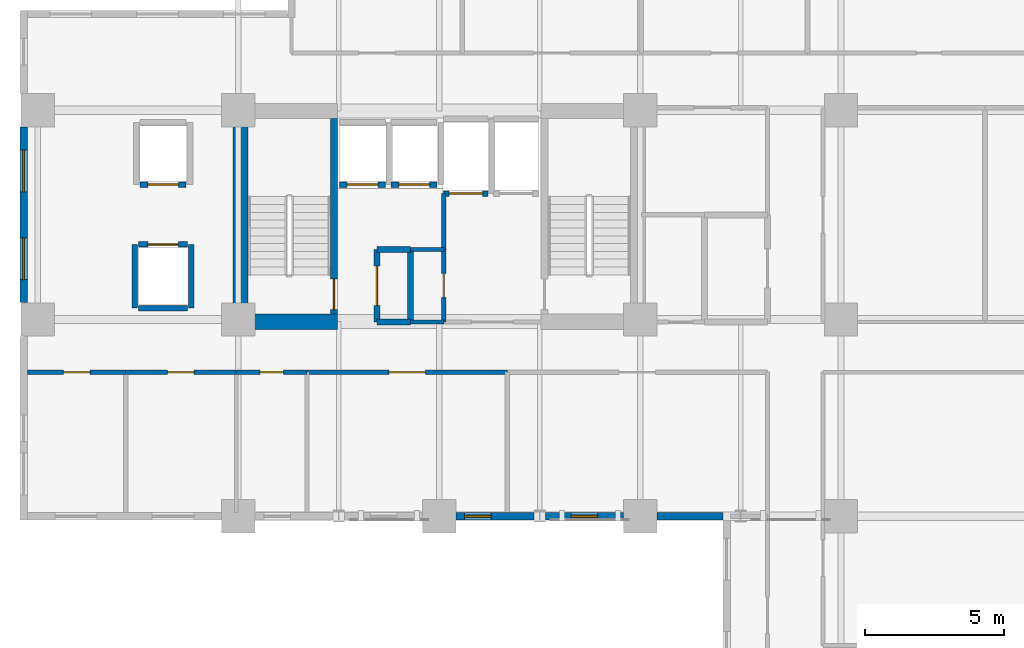
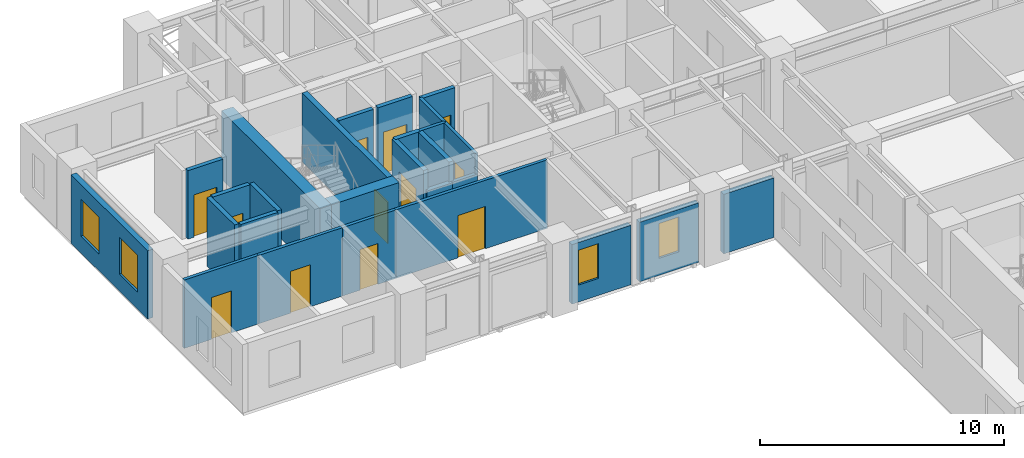
# One storey, part 3 of 11: 27 walls, 12 doors, 4 windows, 16 openings.
"""IFC4 building model written with IfcOpenShell, lengths in metres."""

from ifc_helpers import new_model, si_unit, direction, frame, frame_2d, origin, place, context, subcontext, project, spatial, rectangle, extrude, material, layer, layer_set, type_object, element, fill, save


model = new_model("IFC4")

# Units and contexts
model_context = context("Model", 3, precision=1e-05, world=origin(), true_north=direction((0.0, 1.0)))
body_context = subcontext(model_context, "Body", "Model", "MODEL_VIEW")
ifc_project = project(units=[si_unit("LENGTHUNIT", "METRE"), si_unit("AREAUNIT", "SQUARE_METRE"), si_unit("VOLUMEUNIT", "CUBIC_METRE"), si_unit("PLANEANGLEUNIT", "RADIAN"), si_unit("MASSUNIT", "GRAM", prefix="KILO")], contexts=[model_context])

# Site, building, storey
site_placement = place(None, origin())
site = spatial("IfcSite", under=ifc_project, at=site_placement, CompositionType="ELEMENT")
building_placement = place(site_placement, origin())
building = spatial("IfcBuilding", under=site, at=building_placement, Name="Kaliganga Portal Commons", CompositionType="ELEMENT")
storey_placement = place(building_placement, frame((0.0, 0.0, 111.89990234375)))
storey = spatial("IfcBuildingStorey", under=building, at=storey_placement, Name="L28", CompositionType="ELEMENT", Elevation=111.89990234375)

# Walls
ifc_material_1 = material(Name="Concrete C60/75", Category="concrete")
ifc_layer_1 = layer(ifc_material_1, 0.550048828125)
ifc_layer_set_1 = layer_set([ifc_layer_1], Name="Concrete C60/75")
wall_type_1 = type_object("IfcWallType", Name="WL-CORE-550", PredefinedType="SHEAR", material=ifc_layer_set_1)
wall_1_placement = place(storey_placement, frame((14.47509765625, 28.300048828125, 0.0), z_axis=(0.0, 0.0, 1.0), x_axis=(0.0, 1.0, 0.0)))
element("IfcWall", 1, at=wall_1_placement, inside=storey, type_object=wall_type_1, Name="Core A West Shear Wall L28", PredefinedType="SHEAR", context=body_context, shape_type="SweptSolid", body=[
    extrude(rectangle(XDim=8.099853515625, YDim=0.550048828125, at=frame_2d((4.0498046875, 0.0))), origin(), (0.0, 0.0, 1.0), 3.4501953125),
])
wall_2_placement = place(storey_placement, frame((14.75, 28.574951171875, 0.0), z_axis=(0.0, 0.0, 1.0), x_axis=(1.0, 0.0, 0.0)))
element("IfcWall", 2, at=wall_2_placement, inside=storey, type_object=wall_type_1, Name="Core A S-West Shear Wall L28", PredefinedType="SHEAR", context=body_context, shape_type="SweptSolid", body=[
    extrude(rectangle(XDim=3.199951171875, YDim=0.550048828125, at=frame_2d((1.60009765625, 0.0))), origin(), (0.0, 0.0, 1.0), 3.4501953125),
])

# Wall, openings, windows
ifc_material_2 = material(Name="Insulated Aluminium-Clad Spandrel Assembly", Category="aluminium")
ifc_layer_2 = layer(ifc_material_2, 0.260009765625)
ifc_layer_set_2 = layer_set([ifc_layer_2], Name="Insulated Aluminium-Clad Spandrel Assembly")
wall_type_2 = type_object("IfcWallType", Name="WL-EXT-SPAND-260", PredefinedType="STANDARD", material=ifc_layer_set_2)
wall_3_placement = place(storey_placement, frame((6.699951171875, 29.2509765625, 0.0), z_axis=(0.0, 0.0, 1.0), x_axis=(0.0, 1.0, 0.0)))
wall_3 = element("IfcWall", 3, at=wall_3_placement, inside=storey, type_object=wall_type_2, Name="Exterior Envelope Wall L28 P1-E09-S2", PredefinedType="STANDARD", context=body_context, shape_type="SweptSolid", body=[
    extrude(rectangle(XDim=6.298095703125, YDim=0.260009765625, at=frame_2d((3.14892578125, 0.0))), origin(), (0.0, 0.0, 1.0), 3.43017578125),
])
opening_1_placement = place(wall_3_placement, frame((0.824462890625, 0.0, 0.85009765625)))
opening_1 = element("IfcOpeningElement", 4, at=opening_1_placement, cuts=wall_3, Name="Opening W-02", PredefinedType="OPENING", context=body_context, shape_type="SweptSolid", body=[
    extrude(rectangle(XDim=1.5, YDim=1.85009765625, at=frame_2d((0.75, 0.925048828125))), frame((0.0, 0.14013671875, 0.0), z_axis=(0.0, -1.0, 0.0), x_axis=(1.0, 0.0, 0.0)), (0.0, 0.0, 1.0), 0.280029296875),
])
opening_2_placement = place(wall_3_placement, frame((3.973388671875, 0.0, 0.85009765625)))
opening_2 = element("IfcOpeningElement", 5, at=opening_2_placement, cuts=wall_3, Name="Opening W-02", PredefinedType="OPENING", context=body_context, shape_type="SweptSolid", body=[
    extrude(rectangle(XDim=1.5, YDim=1.85009765625, at=frame_2d((0.75, 0.925048828125))), frame((0.0, 0.14013671875, 0.0), z_axis=(0.0, -1.0, 0.0), x_axis=(1.0, 0.0, 0.0)), (0.0, 0.0, 1.0), 0.280029296875),
])
ifc_material_3 = material(Name="Thermally Broken Aluminium and Low-E Double Glazing", Category="aluminium")
window_type_1 = type_object("IfcWindowType", Name="WIN-STD-1500", PartitioningType="DOUBLE_PANEL_VERTICAL", PredefinedType="WINDOW", material=ifc_material_3)
window_1_placement = place(opening_1_placement, origin())
window_1 = element("IfcWindow", 6, at=window_1_placement, inside=storey, type_object=window_type_1, Name="Facade Window L28-P1E09S2-00", OverallHeight=1.85009765625, OverallWidth=1.5, PartitioningType="SINGLE_PANEL", PredefinedType="WINDOW", context=body_context, shape_type="SweptSolid", body=[
    extrude(rectangle(XDim=1.5, YDim=1.85009765625, at=frame_2d((0.75, 0.925048828125))), frame((0.0, 0.030029296875, 0.0), z_axis=(0.0, -1.0, 0.0), x_axis=(1.0, 0.0, 0.0)), (0.0, 0.0, 1.0), 0.06005859375),
])
fill(opening_1, window_1)
window_2_placement = place(opening_2_placement, origin())
window_2 = element("IfcWindow", 7, at=window_2_placement, inside=storey, type_object=window_type_1, Name="Facade Window L28-P1E09S2-01", OverallHeight=1.85009765625, OverallWidth=1.5, PartitioningType="SINGLE_PANEL", PredefinedType="WINDOW", context=body_context, shape_type="SweptSolid", body=[
    extrude(rectangle(XDim=1.5, YDim=1.85009765625, at=frame_2d((0.75, 0.925048828125))), frame((0.0, 0.030029296875, 0.0), z_axis=(0.0, -1.0, 0.0), x_axis=(1.0, 0.0, 0.0)), (0.0, 0.0, 1.0), 0.06005859375),
])
fill(opening_2, window_2)

# Wall, opening, window
wall_4_placement = place(storey_placement, frame((24.994384765625, 21.60009765625, 0.0), z_axis=(0.0, 0.0, 1.0), x_axis=(-1.0, 0.0, 0.0)))
wall_4 = element("IfcWall", 8, at=wall_4_placement, inside=storey, type_object=wall_type_2, Name="Exterior Envelope Wall L28 P1-E10-S4", PredefinedType="STANDARD", context=body_context, shape_type="SweptSolid", body=[
    extrude(rectangle(XDim=2.79345703125, YDim=0.260009765625, at=frame_2d((1.396728515625, 0.0))), origin(), (0.0, 0.0, 1.0), 2.97998046875),
])
opening_3_placement = place(wall_4_placement, frame((1.536376953125, 0.0, 0.85009765625)))
opening_3 = element("IfcOpeningElement", 9, at=opening_3_placement, cuts=wall_4, Name="Opening W-04", PredefinedType="OPENING", context=body_context, shape_type="SweptSolid", body=[
    extrude(rectangle(XDim=0.949951171875, YDim=1.75, at=frame_2d((0.47509765625, 0.875))), frame((0.0, 0.14013671875, 0.0), z_axis=(0.0, -1.0, 0.0), x_axis=(1.0, 0.0, 0.0)), (0.0, 0.0, 1.0), 0.280029296875),
])
window_type_2 = type_object("IfcWindowType", Name="WIN-NARROW-950", PartitioningType="SINGLE_PANEL", PredefinedType="WINDOW", material=ifc_material_3)
window_3_placement = place(opening_3_placement, origin())
window_3 = element("IfcWindow", 10, at=window_3_placement, inside=storey, type_object=window_type_2, Name="Facade Window L28-P1E10S4-N4", OverallHeight=1.75, OverallWidth=0.949951171875, PartitioningType="SINGLE_PANEL", PredefinedType="WINDOW", context=body_context, shape_type="SweptSolid", body=[
    extrude(rectangle(XDim=0.949951171875, YDim=1.75, at=frame_2d((0.47509765625, 0.875))), frame((0.0, 0.030029296875, 0.0), z_axis=(0.0, -1.0, 0.0), x_axis=(1.0, 0.0, 0.0)), (0.0, 0.0, 1.0), 0.06005859375),
])
fill(opening_3, window_3)

wall_5_placement = place(storey_placement, frame((28.198974609375, 21.60009765625, 0.0), z_axis=(0.0, 0.0, 1.0), x_axis=(-1.0, 0.0, 0.0)))
wall_5 = element("IfcWall", 11, at=wall_5_placement, inside=storey, type_object=wall_type_2, Name="Exterior Envelope Wall L28 P1-E10-S5", PredefinedType="STANDARD", context=body_context, shape_type="SweptSolid", body=[
    extrude(rectangle(XDim=2.79345703125, YDim=0.260009765625, at=frame_2d((1.396728515625, 0.0))), origin(), (0.0, 0.0, 1.0), 2.97998046875),
])
opening_4_placement = place(wall_5_placement, frame((0.921875, 0.0, 0.85009765625)))
opening_4 = element("IfcOpeningElement", 12, at=opening_4_placement, cuts=wall_5, Name="Opening W-04", PredefinedType="OPENING", context=body_context, shape_type="SweptSolid", body=[
    extrude(rectangle(XDim=0.949951171875, YDim=1.75, at=frame_2d((0.47509765625, 0.875))), frame((0.0, 0.14013671875, 0.0), z_axis=(0.0, -1.0, 0.0), x_axis=(1.0, 0.0, 0.0)), (0.0, 0.0, 1.0), 0.280029296875),
])
window_4_placement = place(opening_4_placement, origin())
window_4 = element("IfcWindow", 13, at=window_4_placement, inside=storey, type_object=window_type_2, Name="Facade Window L28-P1E10S5-00", OverallHeight=1.75, OverallWidth=0.949951171875, PartitioningType="SINGLE_PANEL", PredefinedType="WINDOW", context=body_context, shape_type="SweptSolid", body=[
    extrude(rectangle(XDim=0.949951171875, YDim=1.75, at=frame_2d((0.47509765625, 0.875))), frame((0.0, 0.030029296875, 0.0), z_axis=(0.0, -1.0, 0.0), x_axis=(1.0, 0.0, 0.0)), (0.0, 0.0, 1.0), 0.06005859375),
])
fill(opening_4, window_4)

# Wall
wall_6_placement = place(storey_placement, frame((31.764892578125, 21.60009765625, 0.0), z_axis=(0.0, 0.0, 1.0), x_axis=(-1.0, 0.0, 0.0)))
element("IfcWall", 14, at=wall_6_placement, inside=storey, type_object=wall_type_2, Name="Exterior Envelope Wall L28 P1-E10-S6", PredefinedType="STANDARD", context=body_context, shape_type="SweptSolid", body=[
    extrude(rectangle(XDim=2.364013671875, YDim=0.260009765625, at=frame_2d((1.18212890625, 0.0))), origin(), (0.0, 0.0, 1.0), 2.97998046875),
])

# Wall, opening, door
ifc_material_4 = material(Name="Fire-Rated Gypsum Board on Steel Stud", Category="steel")
ifc_layer_3 = layer(ifc_material_4, 0.14990234375)
ifc_layer_set_3 = layer_set([ifc_layer_3], Name="Fire-Rated Gypsum Board on Steel Stud")
wall_type_3 = type_object("IfcWallType", Name="WL-PART-CORR-150", PredefinedType="PARTITIONING", material=ifc_layer_set_3)
wall_7_placement = place(storey_placement, frame((16.860107421875, 26.760009765625, 0.0), z_axis=(0.0, 0.0, 1.0), x_axis=(1.0, 0.0, 0.0)))
wall_7 = element("IfcWall", 15, at=wall_7_placement, inside=storey, type_object=wall_type_3, Name="Interior Partition L28-012", PredefinedType="PARTITIONING", context=body_context, shape_type="SweptSolid", body=[
    extrude(rectangle(XDim=7.179931640625, YDim=0.14990234375, at=frame_2d((3.58984375, 0.0))), origin(), (0.0, 0.0, 1.0), 3.43017578125),
])
opening_5_placement = place(wall_7_placement, frame((2.93994140625, 0.0, 0.0)))
opening_5 = element("IfcOpeningElement", 16, at=opening_5_placement, cuts=wall_7, Name="Opening RD-03", PredefinedType="OPENING", context=body_context, shape_type="SweptSolid", body=[
    extrude(rectangle(XDim=1.300048828125, YDim=2.1201171875, at=frame_2d((0.64990234375, 1.06005859375))), frame((0.0, 0.0849609375, 0.0), z_axis=(0.0, -1.0, 0.0), x_axis=(1.0, 0.0, 0.0)), (0.0, 0.0, 1.0), 0.169921875),
])
ifc_material_5 = material(Name="Glazed Timber Seminar Vision Door", Category="wood")
door_type_1 = type_object("IfcDoorType", Name="DR-STUDY-1300", OperationType="DOUBLE_DOOR_SINGLE_SWING", PredefinedType="DOOR", material=ifc_material_5)
door_1_placement = place(opening_5_placement, origin())
door_1 = element("IfcDoor", 17, at=door_1_placement, inside=storey, type_object=door_type_1, Name="Interior Door L28-AS04", OperationType="DOUBLE_DOOR_SINGLE_SWING", OverallHeight=2.1201171875, OverallWidth=1.300048828125, PredefinedType="DOOR", context=body_context, shape_type="SweptSolid", body=[
    extrude(rectangle(XDim=1.300048828125, YDim=2.1201171875, at=frame_2d((0.64990234375, 1.06005859375))), frame((0.0, 0.02490234375, 0.0), z_axis=(0.0, -1.0, 0.0), x_axis=(1.0, 0.0, 0.0)), (0.0, 0.0, 1.0), 0.050048828125),
])
fill(opening_5, door_1)

wall_8_placement = place(storey_placement, frame((10.360107421875, 26.760009765625, 0.0), z_axis=(0.0, 0.0, 1.0), x_axis=(1.0, 0.0, 0.0)))
wall_8 = element("IfcWall", 18, at=wall_8_placement, inside=storey, type_object=wall_type_3, Name="Interior Partition L28-026", PredefinedType="PARTITIONING", context=body_context, shape_type="SweptSolid", body=[
    extrude(rectangle(XDim=3.9599609375, YDim=0.14990234375, at=frame_2d((1.97998046875, 0.0))), origin(), (0.0, 0.0, 1.0), 3.43017578125),
])
opening_6_placement = place(wall_8_placement, frame((1.5048828125, 0.0, 0.0)))
opening_6 = element("IfcOpeningElement", 19, at=opening_6_placement, cuts=wall_8, Name="Opening UD-01", PredefinedType="OPENING", context=body_context, shape_type="SweptSolid", body=[
    extrude(rectangle(XDim=0.949951171875, YDim=2.10009765625, at=frame_2d((0.47509765625, 1.050048828125))), frame((0.0, 0.0849609375, 0.0), z_axis=(0.0, -1.0, 0.0), x_axis=(1.0, 0.0, 0.0)), (0.0, 0.0, 1.0), 0.169921875),
])
ifc_material_6 = material(Name="Solid-Core Timber Acoustic Fire Door", Category="wood")
door_type_2 = type_object("IfcDoorType", Name="DR-UNIT-950", OperationType="NOTDEFINED", PredefinedType="DOOR", material=ifc_material_6)
door_2_placement = place(opening_6_placement, origin())
door_2 = element("IfcDoor", 20, at=door_2_placement, inside=storey, type_object=door_type_2, Name="Interior Door L28-AS02", OperationType="SINGLE_SWING_RIGHT", OverallHeight=2.10009765625, OverallWidth=0.949951171875, PredefinedType="DOOR", context=body_context, shape_type="SweptSolid", body=[
    extrude(rectangle(XDim=0.949951171875, YDim=2.10009765625, at=frame_2d((0.47509765625, 1.050048828125))), frame((0.0, 0.02490234375, 0.0), z_axis=(0.0, -1.0, 0.0), x_axis=(1.0, 0.0, 0.0)), (0.0, 0.0, 1.0), 0.050048828125),
])
fill(opening_6, door_2)

wall_9_placement = place(storey_placement, frame((6.83203125, 26.760009765625, 0.0), z_axis=(0.0, 0.0, 1.0), x_axis=(1.0, 0.0, 0.0)))
wall_9 = element("IfcWall", 21, at=wall_9_placement, inside=storey, type_object=wall_type_3, Name="Interior Partition L28-030", PredefinedType="PARTITIONING", context=body_context, shape_type="SweptSolid", body=[
    extrude(rectangle(XDim=3.528076171875, YDim=0.14990234375, at=frame_2d((1.76416015625, 0.0))), origin(), (0.0, 0.0, 1.0), 3.43017578125),
])
opening_7_placement = place(wall_9_placement, frame((1.2890625, 0.0, 0.0)))
opening_7 = element("IfcOpeningElement", 22, at=opening_7_placement, cuts=wall_9, Name="Opening UD-01", PredefinedType="OPENING", context=body_context, shape_type="SweptSolid", body=[
    extrude(rectangle(XDim=0.949951171875, YDim=2.10009765625, at=frame_2d((0.47509765625, 1.050048828125))), frame((0.0, 0.0849609375, 0.0), z_axis=(0.0, -1.0, 0.0), x_axis=(1.0, 0.0, 0.0)), (0.0, 0.0, 1.0), 0.169921875),
])
door_3_placement = place(opening_7_placement, origin())
door_3 = element("IfcDoor", 23, at=door_3_placement, inside=storey, type_object=door_type_2, Name="Interior Door L28-AS01", OperationType="SINGLE_SWING_LEFT", OverallHeight=2.10009765625, OverallWidth=0.949951171875, PredefinedType="DOOR", context=body_context, shape_type="SweptSolid", body=[
    extrude(rectangle(XDim=0.949951171875, YDim=2.10009765625, at=frame_2d((0.47509765625, 1.050048828125))), frame((0.0, 0.02490234375, 0.0), z_axis=(0.0, -1.0, 0.0), x_axis=(1.0, 0.0, 0.0)), (0.0, 0.0, 1.0), 0.050048828125),
])
fill(opening_7, door_3)

wall_10_placement = place(storey_placement, frame((21.760009765625, 28.56005859375, 0.0), z_axis=(0.0, 0.0, 1.0), x_axis=(0.0, 1.0, 0.0)))
wall_10 = element("IfcWall", 24, at=wall_10_placement, inside=storey, type_object=wall_type_3, Name="Interior Partition L28-032", PredefinedType="PARTITIONING", context=body_context, shape_type="SweptSolid", body=[
    extrude(rectangle(XDim=2.599853515625, YDim=0.14990234375, at=frame_2d((1.2998046875, 0.0))), origin(), (0.0, 0.0, 1.0), 3.43017578125),
])
opening_8_placement = place(wall_10_placement, frame((0.8701171875, 0.0, 0.0)))
opening_8 = element("IfcOpeningElement", 25, at=opening_8_placement, cuts=wall_10, Name="Opening WD-02", PredefinedType="OPENING", context=body_context, shape_type="SweptSolid", body=[
    extrude(rectangle(XDim=0.860107421875, YDim=2.02001953125, at=frame_2d((0.43017578125, 1.010009765625))), frame((0.0, 0.0849609375, 0.0), z_axis=(0.0, -1.0, 0.0), x_axis=(1.0, 0.0, 0.0)), (0.0, 0.0, 1.0), 0.169921875),
])
ifc_material_7 = material(Name="Fire-Rated Utility Closet Door", Category="wood")
door_type_3 = type_object("IfcDoorType", Name="DR-STORE-800", OperationType="NOTDEFINED", PredefinedType="DOOR", material=ifc_material_7)
door_4_placement = place(opening_8_placement, origin())
door_4 = element("IfcDoor", 26, at=door_4_placement, inside=storey, type_object=door_type_3, Name="Interior Door L28-CIN_A2", OperationType="SINGLE_SWING_LEFT", OverallHeight=2.02001953125, OverallWidth=0.860107421875, PredefinedType="DOOR", context=body_context, shape_type="SweptSolid", body=[
    extrude(rectangle(XDim=0.860107421875, YDim=2.02001953125, at=frame_2d((0.43017578125, 1.010009765625))), frame((0.0, 0.02490234375, 0.0), z_axis=(0.0, -1.0, 0.0), x_axis=(1.0, 0.0, 0.0)), (0.0, 0.0, 1.0), 0.050048828125),
])
fill(opening_8, door_4)

wall_11_placement = place(storey_placement, frame((14.320068359375, 26.760009765625, 0.0), z_axis=(0.0, 0.0, 1.0), x_axis=(1.0, 0.0, 0.0)))
wall_11 = element("IfcWall", 27, at=wall_11_placement, inside=storey, type_object=wall_type_3, Name="Interior Partition L28-034", PredefinedType="PARTITIONING", context=body_context, shape_type="SweptSolid", body=[
    extrude(rectangle(XDim=2.5400390625, YDim=0.14990234375, at=frame_2d((1.27001953125, 0.0))), origin(), (0.0, 0.0, 1.0), 3.43017578125),
])
opening_9_placement = place(wall_11_placement, frame((0.844970703125, 0.0, 0.0)))
opening_9 = element("IfcOpeningElement", 28, at=opening_9_placement, cuts=wall_11, Name="Opening WD-01", PredefinedType="OPENING", context=body_context, shape_type="SweptSolid", body=[
    extrude(rectangle(XDim=0.85009765625, YDim=2.0400390625, at=frame_2d((0.425048828125, 1.02001953125))), frame((0.0, 0.0849609375, 0.0), z_axis=(0.0, -1.0, 0.0), x_axis=(1.0, 0.0, 0.0)), (0.0, 0.0, 1.0), 0.169921875),
])
ifc_material_8 = material(Name="Moisture-Resistant Laminate Timber Door", Category="wood")
door_type_4 = type_object("IfcDoorType", Name="DR-WET-850", OperationType="NOTDEFINED", PredefinedType="DOOR", material=ifc_material_8)
door_5_placement = place(opening_9_placement, origin())
door_5 = element("IfcDoor", 29, at=door_5_placement, inside=storey, type_object=door_type_4, Name="Interior Door L28-AS03", OperationType="SINGLE_SWING_LEFT", OverallHeight=2.0400390625, OverallWidth=0.85009765625, PredefinedType="DOOR", context=body_context, shape_type="SweptSolid", body=[
    extrude(rectangle(XDim=0.85009765625, YDim=2.0400390625, at=frame_2d((0.425048828125, 1.02001953125))), frame((0.0, 0.02490234375, 0.0), z_axis=(0.0, -1.0, 0.0), x_axis=(1.0, 0.0, 0.0)), (0.0, 0.0, 1.0), 0.050048828125),
])
fill(opening_9, door_5)

# Walls
wall_12_placement = place(storey_placement, frame((20.56005859375, 28.56005859375, 0.0), z_axis=(0.0, 0.0, 1.0), x_axis=(1.0, 0.0, 0.0)))
element("IfcWall", 30, at=wall_12_placement, inside=storey, type_object=wall_type_3, Name="Interior Partition L28-039", PredefinedType="PARTITIONING", context=body_context, shape_type="SweptSolid", body=[
    extrude(rectangle(XDim=1.199951171875, YDim=0.14990234375, at=frame_2d((0.60009765625, 0.0))), origin(), (0.0, 0.0, 1.0), 2.43017578125),
])
wall_13_placement = place(storey_placement, frame((20.56005859375, 31.159912109375, 0.0), z_axis=(0.0, 0.0, 1.0), x_axis=(1.0, 0.0, 0.0)))
element("IfcWall", 31, at=wall_13_placement, inside=storey, type_object=wall_type_3, Name="Interior Partition L28-040", PredefinedType="PARTITIONING", context=body_context, shape_type="SweptSolid", body=[
    extrude(rectangle(XDim=1.199951171875, YDim=0.14990234375, at=frame_2d((0.60009765625, 0.0))), origin(), (0.0, 0.0, 1.0), 3.43017578125),
])
wall_14_placement = place(storey_placement, frame((21.760009765625, 31.159912109375, 0.0), z_axis=(0.0, 0.0, 1.0), x_axis=(0.0, 1.0, 0.0)))
element("IfcWall", 32, at=wall_14_placement, inside=storey, type_object=wall_type_3, Name="Interior Partition L28-077", PredefinedType="PARTITIONING", context=body_context, shape_type="SweptSolid", body=[
    extrude(rectangle(XDim=2.0, YDim=0.14990234375, at=frame_2d((1.0, 0.0))), origin(), (0.0, 0.0, 1.0), 3.43017578125),
])

# Wall, opening, door
ifc_material_9 = material(Name="Lightweight blockwork masonry", Category="masonry")
ifc_layer_4 = layer(ifc_material_9, 0.215087890625)
ifc_layer_set_4 = layer_set([ifc_layer_4], Name="Lightweight blockwork masonry")
wall_type_4 = type_object("IfcWallType", Name="WL-PART-PLANT-215", PredefinedType="PARTITIONING", material=ifc_layer_set_4)
wall_15_placement = place(storey_placement, frame((19.360107421875, 28.56005859375, 0.0), z_axis=(0.0, 0.0, 1.0), x_axis=(0.0, 1.0, 0.0)))
wall_15 = element("IfcWall", 33, at=wall_15_placement, inside=storey, type_object=wall_type_4, Name="Interior Partition L28-031", PredefinedType="PARTITIONING", context=body_context, shape_type="SweptSolid", body=[
    extrude(rectangle(XDim=2.599853515625, YDim=0.215087890625, at=frame_2d((1.2998046875, 0.0))), origin(), (0.0, 0.0, 1.0), 3.43017578125),
])
opening_10_placement = place(wall_15_placement, frame((0.60009765625, 0.0, 0.0)))
opening_10 = element("IfcOpeningElement", 34, at=opening_10_placement, cuts=wall_15, Name="Opening PD-01", PredefinedType="OPENING", context=body_context, shape_type="SweptSolid", body=[
    extrude(rectangle(XDim=1.39990234375, YDim=2.14990234375, at=frame_2d((0.699951171875, 1.074951171875))), frame((0.0, 0.11767578125, 0.0), z_axis=(0.0, -1.0, 0.0), x_axis=(1.0, 0.0, 0.0)), (0.0, 0.0, 1.0), 0.235107421875),
])
ifc_material_10 = material(Name="Heavy-Duty Steel Acoustic Louvre Fire Door", Category="steel")
door_type_5 = type_object("IfcDoorType", Name="DR-PLANT-1400", OperationType="DOUBLE_DOOR_SINGLE_SWING", PredefinedType="DOOR", material=ifc_material_10)
door_6_placement = place(opening_10_placement, origin())
door_6 = element("IfcDoor", 35, at=door_6_placement, inside=storey, type_object=door_type_5, Name="Interior Door L28-CIN_A1", OperationType="DOUBLE_DOOR_SINGLE_SWING", OverallHeight=2.14990234375, OverallWidth=1.39990234375, PredefinedType="DOOR", context=body_context, shape_type="SweptSolid", body=[
    extrude(rectangle(XDim=1.39990234375, YDim=2.14990234375, at=frame_2d((0.699951171875, 1.074951171875))), frame((0.0, 0.02490234375, 0.0), z_axis=(0.0, -1.0, 0.0), x_axis=(1.0, 0.0, 0.0)), (0.0, 0.0, 1.0), 0.050048828125),
])
fill(opening_10, door_6)

# Walls
wall_16_placement = place(storey_placement, frame((19.360107421875, 28.56005859375, 0.0), z_axis=(0.0, 0.0, 1.0), x_axis=(1.0, 0.0, 0.0)))
element("IfcWall", 36, at=wall_16_placement, inside=storey, type_object=wall_type_4, Name="Interior Partition L28-041", PredefinedType="PARTITIONING", context=body_context, shape_type="SweptSolid", body=[
    extrude(rectangle(XDim=1.199951171875, YDim=0.215087890625, at=frame_2d((0.60009765625, 0.0))), origin(), (0.0, 0.0, 1.0), 2.43017578125),
])
wall_17_placement = place(storey_placement, frame((19.360107421875, 31.159912109375, 0.0), z_axis=(0.0, 0.0, 1.0), x_axis=(1.0, 0.0, 0.0)))
element("IfcWall", 37, at=wall_17_placement, inside=storey, type_object=wall_type_4, Name="Interior Partition L28-042", PredefinedType="PARTITIONING", context=body_context, shape_type="SweptSolid", body=[
    extrude(rectangle(XDim=1.199951171875, YDim=0.215087890625, at=frame_2d((0.60009765625, 0.0))), origin(), (0.0, 0.0, 1.0), 3.43017578125),
])
wall_18_placement = place(storey_placement, frame((20.56005859375, 28.56005859375, 0.0), z_axis=(0.0, 0.0, 1.0), x_axis=(0.0, 1.0, 0.0)))
element("IfcWall", 38, at=wall_18_placement, inside=storey, type_object=wall_type_4, Name="Interior Partition L28-073", PredefinedType="PARTITIONING", context=body_context, shape_type="SweptSolid", body=[
    extrude(rectangle(XDim=2.599853515625, YDim=0.215087890625, at=frame_2d((1.2998046875, 0.0))), origin(), (0.0, 0.0, 1.0), 3.43017578125),
])

# Wall, opening, door
ifc_material_11 = material(Name="Fire-Rated Shaftwall Masonry Assembly", Category="masonry")
ifc_layer_5 = layer(ifc_material_11, 0.199951171875)
ifc_layer_set_5 = layer_set([ifc_layer_5], Name="Fire-Rated Shaftwall Masonry Assembly")
wall_type_5 = type_object("IfcWallType", Name="WL-SHAFT-200", PredefinedType="PARTITIONING", material=ifc_layer_set_5)
wall_19_placement = place(storey_placement, frame((18.02490234375, 33.485107421875, 0.0), z_axis=(0.0, 0.0, 1.0), x_axis=(1.0, 0.0, 0.0)))
wall_19 = element("IfcWall", 39, at=wall_19_placement, inside=storey, type_object=wall_type_5, Name="Lift PL-A1 Hoistway Shaft Wall L28-S", PredefinedType="PARTITIONING", context=body_context, shape_type="SweptSolid", body=[
    extrude(rectangle(XDim=1.650146484375, YDim=0.199951171875, at=frame_2d((0.8251953125, 0.0))), origin(), (0.0, 0.0, 1.0), 3.43017578125),
])
opening_11_placement = place(wall_19_placement, frame((0.27490234375, 0.0, 0.0)))
opening_11 = element("IfcOpeningElement", 40, at=opening_11_placement, cuts=wall_19, Name="Opening LD-01", PredefinedType="OPENING", context=body_context, shape_type="SweptSolid", body=[
    extrude(rectangle(XDim=1.10009765625, YDim=2.1201171875, at=frame_2d((0.550048828125, 1.06005859375))), frame((0.0, 0.10986328125, 0.0), z_axis=(0.0, -1.0, 0.0), x_axis=(1.0, 0.0, 0.0)), (0.0, 0.0, 1.0), 0.219970703125),
])
ifc_material_12 = material(Name="Brushed Stainless Steel 316 Lift Landing Door", Category="steel")
door_type_6 = type_object("IfcDoorType", Name="DR-LIFT-1100", OperationType="SLIDING_TO_LEFT", PredefinedType="DOOR", material=ifc_material_12)
door_7_placement = place(opening_11_placement, origin())
door_7 = element("IfcDoor", 41, at=door_7_placement, inside=storey, type_object=door_type_6, Name="Lift PL-A1 Sliding Landing Door L28", OperationType="SLIDING_TO_LEFT", OverallHeight=2.1201171875, OverallWidth=1.10009765625, PredefinedType="DOOR", context=body_context, shape_type="SweptSolid", body=[
    extrude(rectangle(XDim=1.10009765625, YDim=2.1201171875, at=frame_2d((0.550048828125, 1.06005859375))), frame((0.0, 0.02490234375, 0.0), z_axis=(0.0, -1.0, 0.0), x_axis=(1.0, 0.0, 0.0)), (0.0, 0.0, 1.0), 0.050048828125),
])
fill(opening_11, door_7)

wall_20_placement = place(storey_placement, frame((19.875, 33.485107421875, 0.0), z_axis=(0.0, 0.0, 1.0), x_axis=(1.0, 0.0, 0.0)))
wall_20 = element("IfcWall", 42, at=wall_20_placement, inside=storey, type_object=wall_type_5, Name="Lift PL-A2 Hoistway Shaft Wall L28-S", PredefinedType="PARTITIONING", context=body_context, shape_type="SweptSolid", body=[
    extrude(rectangle(XDim=1.64990234375, YDim=0.199951171875, at=frame_2d((0.824951171875, 0.0))), origin(), (0.0, 0.0, 1.0), 3.43017578125),
])
opening_12_placement = place(wall_20_placement, frame((0.27490234375, 0.0, 0.0)))
opening_12 = element("IfcOpeningElement", 43, at=opening_12_placement, cuts=wall_20, Name="Opening LD-01", PredefinedType="OPENING", context=body_context, shape_type="SweptSolid", body=[
    extrude(rectangle(XDim=1.10009765625, YDim=2.1201171875, at=frame_2d((0.550048828125, 1.06005859375))), frame((0.0, 0.10986328125, 0.0), z_axis=(0.0, -1.0, 0.0), x_axis=(1.0, 0.0, 0.0)), (0.0, 0.0, 1.0), 0.219970703125),
])
door_8_placement = place(opening_12_placement, origin())
door_8 = element("IfcDoor", 44, at=door_8_placement, inside=storey, type_object=door_type_6, Name="Lift PL-A2 Sliding Landing Door L28", OperationType="SLIDING_TO_LEFT", OverallHeight=2.1201171875, OverallWidth=1.10009765625, PredefinedType="DOOR", context=body_context, shape_type="SweptSolid", body=[
    extrude(rectangle(XDim=1.10009765625, YDim=2.1201171875, at=frame_2d((0.550048828125, 1.06005859375))), frame((0.0, 0.02490234375, 0.0), z_axis=(0.0, -1.0, 0.0), x_axis=(1.0, 0.0, 0.0)), (0.0, 0.0, 1.0), 0.050048828125),
])
fill(opening_12, door_8)

# Wall
wall_21_placement = place(storey_placement, frame((10.824951171875, 29.06005859375, 0.0), z_axis=(0.0, 0.0, 1.0), x_axis=(1.0, 0.0, 0.0)))
element("IfcWall", 45, at=wall_21_placement, inside=storey, type_object=wall_type_5, Name="Lift SH-1 Hoistway Shaft Wall L28-S", PredefinedType="PARTITIONING", context=body_context, shape_type="SweptSolid", body=[
    extrude(rectangle(XDim=1.75, YDim=0.199951171875, at=frame_2d((0.875, 0.0))), origin(), (0.0, 0.0, 1.0), 3.43017578125),
])

# Wall, opening, door
wall_22_placement = place(storey_placement, frame((10.824951171875, 31.340087890625, 0.0), z_axis=(0.0, 0.0, 1.0), x_axis=(1.0, 0.0, 0.0)))
wall_22 = element("IfcWall", 46, at=wall_22_placement, inside=storey, type_object=wall_type_5, Name="Lift SH-1 Hoistway Shaft Wall L28-N", PredefinedType="PARTITIONING", context=body_context, shape_type="SweptSolid", body=[
    extrude(rectangle(XDim=1.75, YDim=0.199951171875, at=frame_2d((0.875, 0.0))), origin(), (0.0, 0.0, 1.0), 3.43017578125),
])
opening_13_placement = place(wall_22_placement, frame((0.324951171875, 0.0, 0.0)))
opening_13 = element("IfcOpeningElement", 47, at=opening_13_placement, cuts=wall_22, Name="Opening LD-01", PredefinedType="OPENING", context=body_context, shape_type="SweptSolid", body=[
    extrude(rectangle(XDim=1.10009765625, YDim=2.1201171875, at=frame_2d((0.550048828125, 1.06005859375))), frame((0.0, 0.10986328125, 0.0), z_axis=(0.0, -1.0, 0.0), x_axis=(1.0, 0.0, 0.0)), (0.0, 0.0, 1.0), 0.219970703125),
])
door_9_placement = place(opening_13_placement, origin())
door_9 = element("IfcDoor", 48, at=door_9_placement, inside=storey, type_object=door_type_6, Name="Lift SH-1 Sliding Landing Door L28", OperationType="SLIDING_TO_LEFT", OverallHeight=2.1201171875, OverallWidth=1.10009765625, PredefinedType="DOOR", context=body_context, shape_type="SweptSolid", body=[
    extrude(rectangle(XDim=1.10009765625, YDim=2.1201171875, at=frame_2d((0.550048828125, 1.06005859375))), frame((0.0, 0.02490234375, 0.0), z_axis=(0.0, -1.0, 0.0), x_axis=(1.0, 0.0, 0.0)), (0.0, 0.0, 1.0), 0.050048828125),
])
fill(opening_13, door_9)

# Walls
for number, where, z_axis, x_axis, name in (
    (49, (10.68505859375, 29.06005859375, 0.0), (0.0, 0.0, 1.0), (0.0, 1.0, 0.0), "Lift SH-1 Hoistway Shaft Wall L28-W"),
    (50, (12.715087890625, 29.06005859375, 0.0), (0.0, 0.0, 1.0), (0.0, 1.0, 0.0), "Lift SH-1 Hoistway Shaft Wall L28-E"),
):
    element("IfcWall", number, at=place(storey_placement, frame(where, z_axis=z_axis, x_axis=x_axis)), inside=storey, type_object=wall_type_5, Name=name, PredefinedType="PARTITIONING", context=body_context, shape_type="SweptSolid", body=[
        extrude(rectangle(XDim=2.280029296875, YDim=0.199951171875, at=frame_2d((1.14013671875, 0.0))), origin(), (0.0, 0.0, 1.0), 3.43017578125),
    ])

# Wall, opening, door
wall_23_placement = place(storey_placement, frame((10.875, 33.485107421875, 0.0), z_axis=(0.0, 0.0, 1.0), x_axis=(1.0, 0.0, 0.0)))
wall_23 = element("IfcWall", 51, at=wall_23_placement, inside=storey, type_object=wall_type_5, Name="Lift PL-OBS Hoistway Shaft Wall L28-S", PredefinedType="PARTITIONING", context=body_context, shape_type="SweptSolid", body=[
    extrude(rectangle(XDim=1.64990234375, YDim=0.199951171875, at=frame_2d((0.824951171875, 0.0))), origin(), (0.0, 0.0, 1.0), 3.43017578125),
])
opening_14_placement = place(wall_23_placement, frame((0.27490234375, 0.0, 0.0)))
opening_14 = element("IfcOpeningElement", 52, at=opening_14_placement, cuts=wall_23, Name="Opening LD-01", PredefinedType="OPENING", context=body_context, shape_type="SweptSolid", body=[
    extrude(rectangle(XDim=1.10009765625, YDim=2.1201171875, at=frame_2d((0.550048828125, 1.06005859375))), frame((0.0, 0.10986328125, 0.0), z_axis=(0.0, -1.0, 0.0), x_axis=(1.0, 0.0, 0.0)), (0.0, 0.0, 1.0), 0.219970703125),
])
door_10_placement = place(opening_14_placement, origin())
door_10 = element("IfcDoor", 53, at=door_10_placement, inside=storey, type_object=door_type_6, Name="Lift PL-OBS Sliding Landing Door L28", OperationType="SLIDING_TO_LEFT", OverallHeight=2.1201171875, OverallWidth=1.10009765625, PredefinedType="DOOR", context=body_context, shape_type="SweptSolid", body=[
    extrude(rectangle(XDim=1.10009765625, YDim=2.1201171875, at=frame_2d((0.550048828125, 1.06005859375))), frame((0.0, 0.02490234375, 0.0), z_axis=(0.0, -1.0, 0.0), x_axis=(1.0, 0.0, 0.0)), (0.0, 0.0, 1.0), 0.050048828125),
])
fill(opening_14, door_10)

wall_24_placement = place(storey_placement, frame((21.75, 33.159912109375, 0.0), z_axis=(0.0, 0.0, 1.0), x_axis=(1.0, 0.0, 0.0)))
wall_24 = element("IfcWall", 54, at=wall_24_placement, inside=storey, type_object=wall_type_5, Name="Lift FFL-1 Hoistway Shaft Wall L28-S", PredefinedType="PARTITIONING", context=body_context, shape_type="SweptSolid", body=[
    extrude(rectangle(XDim=1.60009765625, YDim=0.199951171875, at=frame_2d((0.800048828125, 0.0))), origin(), (0.0, 0.0, 1.0), 3.43017578125),
])
opening_15_placement = place(wall_24_placement, frame((0.199951171875, 0.0, 0.0)))
opening_15 = element("IfcOpeningElement", 55, at=opening_15_placement, cuts=wall_24, Name="Opening LD-02", PredefinedType="OPENING", context=body_context, shape_type="SweptSolid", body=[
    extrude(rectangle(XDim=1.199951171875, YDim=2.1201171875, at=frame_2d((0.60009765625, 1.06005859375))), frame((0.0, 0.10986328125, 0.0), z_axis=(0.0, -1.0, 0.0), x_axis=(1.0, 0.0, 0.0)), (0.0, 0.0, 1.0), 0.219970703125),
])
ifc_material_13 = material(Name="Brushed Stainless Steel 316 Stretcher Lift Landing Door", Category="steel")
door_type_7 = type_object("IfcDoorType", Name="DR-LIFT-1200", OperationType="SLIDING_TO_RIGHT", PredefinedType="DOOR", material=ifc_material_13)
door_11_placement = place(opening_15_placement, origin())
door_11 = element("IfcDoor", 56, at=door_11_placement, inside=storey, type_object=door_type_7, Name="Lift FFL-1 Sliding Landing Door L28", OperationType="SLIDING_TO_RIGHT", OverallHeight=2.1201171875, OverallWidth=1.199951171875, PredefinedType="DOOR", context=body_context, shape_type="SweptSolid", body=[
    extrude(rectangle(XDim=1.199951171875, YDim=2.1201171875, at=frame_2d((0.60009765625, 1.06005859375))), frame((0.0, 0.02490234375, 0.0), z_axis=(0.0, -1.0, 0.0), x_axis=(1.0, 0.0, 0.0)), (0.0, 0.0, 1.0), 0.050048828125),
])
fill(opening_15, door_11)

ifc_material_14 = material(Name="Concrete C50/60", Category="concrete")
ifc_layer_6 = layer(ifc_material_14, 0.25)
ifc_layer_set_6 = layer_set([ifc_layer_6], Name="Concrete C50/60")
wall_type_6 = type_object("IfcWallType", Name="WL-STAIR-250", PredefinedType="SHEAR", material=ifc_layer_set_6)
wall_25_placement = place(storey_placement, frame((17.824951171875, 28.85009765625, 0.0), z_axis=(0.0, 0.0, 1.0), x_axis=(0.0, 1.0, 0.0)))
wall_25 = element("IfcWall", 57, at=wall_25_placement, inside=storey, type_object=wall_type_6, Name="Stair A1 Enclosure Shear Wall L28", PredefinedType="SHEAR", context=body_context, shape_type="SweptSolid", body=[
    extrude(rectangle(XDim=7.0, YDim=0.25, at=frame_2d((3.5, 0.0))), origin(), (0.0, 0.0, 1.0), 3.4501953125),
])
opening_16_placement = place(wall_25_placement, frame((0.14990234375, 0.0, 0.0)))
opening_16 = element("IfcOpeningElement", 58, at=opening_16_placement, cuts=wall_25, Name="Opening SD-01", PredefinedType="OPENING", context=body_context, shape_type="SweptSolid", body=[
    extrude(rectangle(XDim=1.10009765625, YDim=2.080078125, at=frame_2d((0.550048828125, 1.0400390625))), frame((0.0, 0.135009765625, 0.0), z_axis=(0.0, -1.0, 0.0), x_axis=(1.0, 0.0, 0.0)), (0.0, 0.0, 1.0), 0.27001953125),
])
ifc_material_15 = material(Name="Galvanized Steel Fire Door Leaf and Frame", Category="steel")
door_type_8 = type_object("IfcDoorType", Name="DR-STAIR-1100", OperationType="NOTDEFINED", PredefinedType="DOOR", material=ifc_material_15)
door_12_placement = place(opening_16_placement, origin())
door_12 = element("IfcDoor", 59, at=door_12_placement, inside=storey, type_object=door_type_8, Name="Protected Stair ST-A1 Fire Door L28", OperationType="SINGLE_SWING_RIGHT", OverallHeight=2.080078125, OverallWidth=1.10009765625, PredefinedType="DOOR", context=body_context, shape_type="SweptSolid", body=[
    extrude(rectangle(XDim=1.10009765625, YDim=2.080078125, at=frame_2d((0.550048828125, 1.0400390625))), frame((0.0, 0.02490234375, 0.0), z_axis=(0.0, -1.0, 0.0), x_axis=(1.0, 0.0, 0.0)), (0.0, 0.0, 1.0), 0.050048828125),
])
fill(opening_16, door_12)

save(model, "model.ifc")
